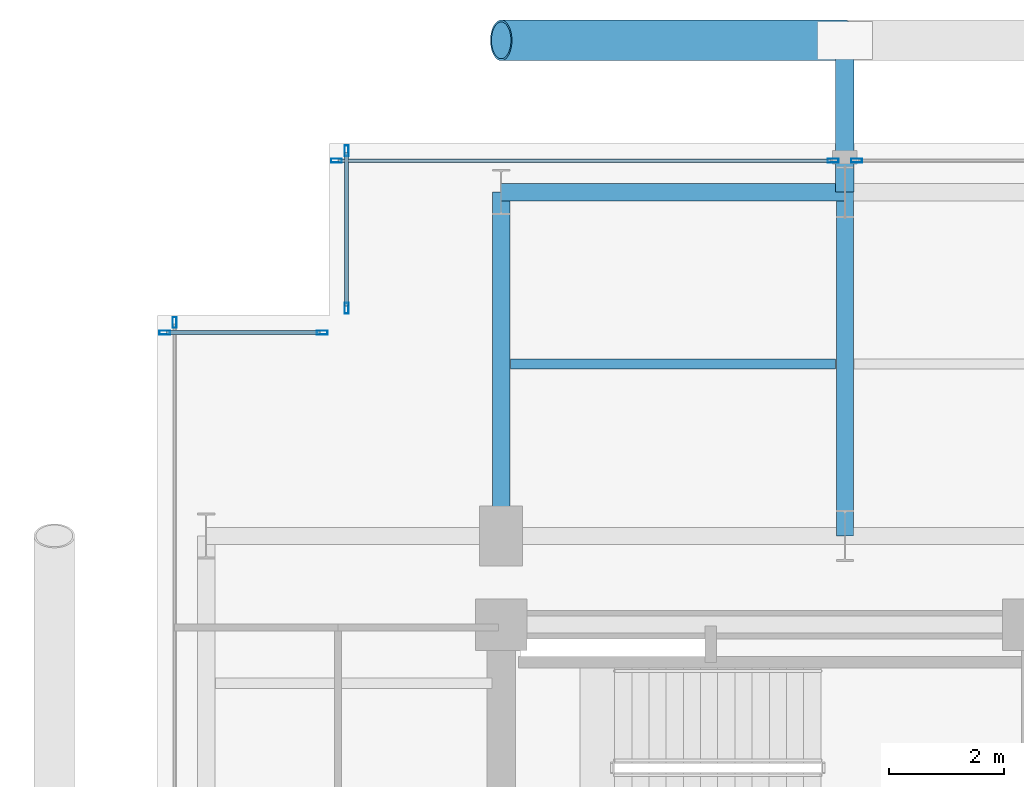
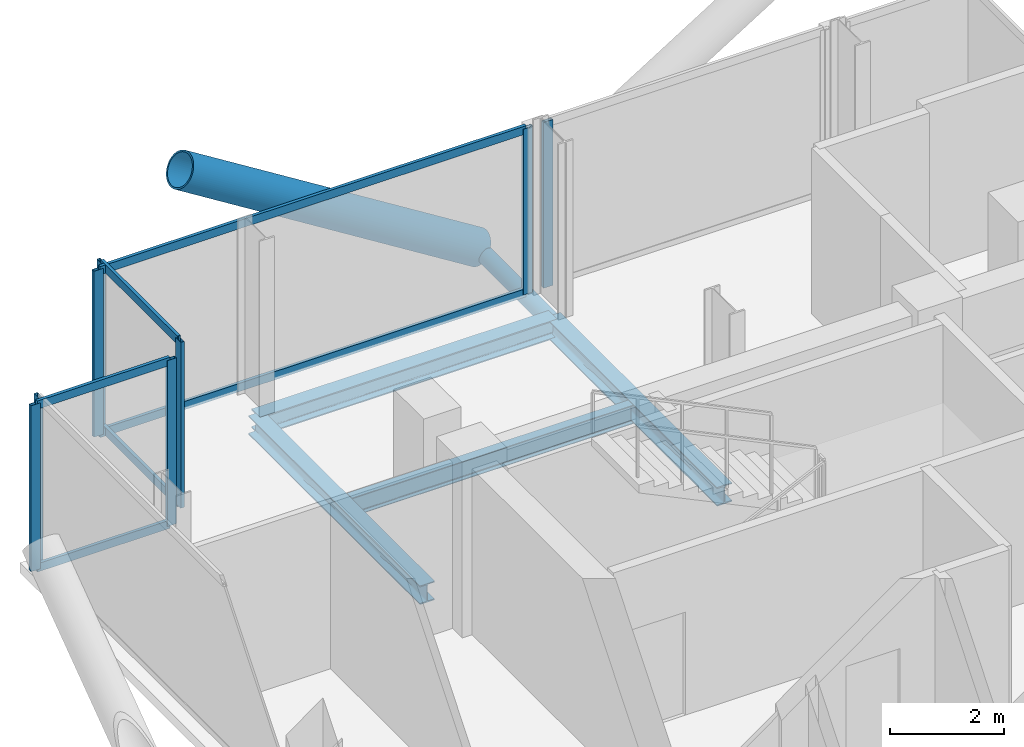
# One storey, part 13 of 21: 16 members, 4 beams, 5 elements without a shape of their own.
"""IFC4 building model written with IfcOpenShell, lengths in metres."""

from ifc_helpers import new_model, si_unit, direction, frame, origin, origin_2d, place, context, subcontext, project, spatial, hollow_rectangle, hollow_circle, i_section, extrude, material, layer, layer_set, material_profile, profile_set, type_object, element, aggregate, save


model = new_model("IFC4")

# Units and contexts
model_context = context("Model", 3, precision=1e-05, world=origin(), true_north=direction((0.0, 1.0)))
body_context = subcontext(model_context, "Body", "Model", "MODEL_VIEW")
ifc_project = project(units=[si_unit("LENGTHUNIT", "METRE"), si_unit("AREAUNIT", "SQUARE_METRE"), si_unit("VOLUMEUNIT", "CUBIC_METRE"), si_unit("PLANEANGLEUNIT", "RADIAN"), si_unit("MASSUNIT", "GRAM", prefix="KILO"), si_unit("THERMODYNAMICTEMPERATUREUNIT", "KELVIN"), si_unit("POWERUNIT", "WATT")], contexts=[model_context])

# Site, building, storey
site_placement = place(None, origin())
site = spatial("IfcSite", under=ifc_project, at=site_placement, CompositionType="ELEMENT")
building_placement = place(site_placement, origin())
building = spatial("IfcBuilding", under=site, at=building_placement, Name="Svarakhadi Broadcast Tower", CompositionType="ELEMENT")
storey_placement = place(building_placement, frame((0.0, 0.0, 208.64990234375)))
storey = spatial("IfcBuildingStorey", under=building, at=storey_placement, Name="L51", CompositionType="ELEMENT", Elevation=208.64990234375)

# Beam
ifc_material_1 = material(Name="Steel S355J2 (IS 2062 E350C)", Category="steel")
ifc_material_profile_1 = material_profile(ifc_material_1, i_section(OverallWidth=0.179931640625, OverallDepth=0.39990234375, WebThickness=0.008544921875, FlangeThickness=0.013427734375, FilletRadius=0.02099609375, at=origin_2d()), Name="NPB 400x180x66")
ifc_profile_set_1 = profile_set([ifc_material_profile_1], Name="Steel S355J2 (IS 2062 E350C)")
beam_type_1 = type_object("IfcBeamType", Name="Beam_NPB400", PredefinedType="BEAM", material=ifc_profile_set_1)
beam_placement = place(storey_placement, frame((6.159912109375, 32.14990234375, -0.409912109375), z_axis=(1.0, 0.0, 0.0), x_axis=(0.0, 1.0, 0.0)))
element("IfcBeam", 1, at=beam_placement, inside=storey, type_object=beam_type_1, Name="L51 Secondary Composite Beam SB008", PredefinedType="BEAM", context=body_context, shape_type="SweptSolid", body=[
    extrude(i_section(OverallWidth=0.179931640625, OverallDepth=0.39990234375, WebThickness=0.008544921875, FlangeThickness=0.013427734375, FilletRadius=0.02099609375, at=origin_2d()), origin(), (0.0, 0.0, 1.0), 5.68017578125),
])

# Curtain wall, member
ifc_material_2 = material(Name="Anodised Bronze Aluminium AA 6063-T6", Category="aluminium")
ifc_layer = layer(ifc_material_2, 0.18994140625)
ifc_layer_set = layer_set([ifc_layer], Name="Anodised Bronze Aluminium AA 6063-T6")
curtain_wall_type = type_object("IfcCurtainWallType", Name="CW_Sys_04", PredefinedType="NOTDEFINED", material=ifc_layer_set)
curtain_wall_1_placement = place(storey_placement, origin())
curtain_wall_1 = element("IfcCurtainWall", 2, at=curtain_wall_1_placement, inside=storey, type_object=curtain_wall_type, Name="L51 West Curtain Wall 03", PredefinedType="NOTDEFINED")
ifc_material_profile_2 = material_profile(ifc_material_2, hollow_rectangle(XDim=0.070068359375, YDim=0.18994140625, WallThickness=0.005615234375, at=origin_2d()), Name="ALU MULLION 190x70x6")
ifc_profile_set_2 = profile_set([ifc_material_profile_2], Name="Anodised Bronze Aluminium AA 6063-T6")
member_type_1 = type_object("IfcMemberType", Name="CW_Sys_04_Mul", PredefinedType="MULLION", material=ifc_profile_set_2)
member_1_placement = place(storey_placement, frame((0.300048828125, 32.875, 0.0), z_axis=(0.0, 0.0, 1.0), x_axis=(-1.0, 0.0, 0.0)))
member_1 = element("IfcMember", 3, at=member_1_placement, type_object=member_type_1, Name="CW-04 mullion 2", PredefinedType="MULLION", context=body_context, shape_type="SweptSolid", body=[
    extrude(hollow_rectangle(XDim=0.070068359375, YDim=0.18994140625, WallThickness=0.005615234375, at=origin_2d()), origin(), (0.0, 0.0, 1.0), 3.5400390625),
])
aggregate(curtain_wall_1, [member_1])

# Curtain wall, members
curtain_wall_2_placement = place(storey_placement, origin())
curtain_wall_2 = element("IfcCurtainWall", 4, at=curtain_wall_2_placement, inside=storey, type_object=curtain_wall_type, Name="L51 Unitised Facade Curtain Wall 04", PredefinedType="NOTDEFINED")
member_2_placement = place(storey_placement, frame((0.125, 32.699951171875, 0.0), z_axis=(0.0, 0.0, 1.0), x_axis=(0.0, 1.0, 0.0)))
member_2 = element("IfcMember", 5, at=member_2_placement, type_object=member_type_1, Name="CW-04 mullion 1", PredefinedType="MULLION", context=body_context, shape_type="SweptSolid", body=[
    extrude(hollow_rectangle(XDim=0.070068359375, YDim=0.18994140625, WallThickness=0.005615234375, at=origin_2d()), origin(), (0.0, 0.0, 1.0), 3.5400390625),
])
member_3_placement = place(storey_placement, frame((2.875, 32.699951171875, 0.0), z_axis=(0.0, 0.0, 1.0), x_axis=(0.0, 1.0, 0.0)))
member_3 = element("IfcMember", 6, at=member_3_placement, type_object=member_type_1, Name="CW-04 mullion 2", PredefinedType="MULLION", context=body_context, shape_type="SweptSolid", body=[
    extrude(hollow_rectangle(XDim=0.070068359375, YDim=0.18994140625, WallThickness=0.005615234375, at=origin_2d()), origin(), (0.0, 0.0, 1.0), 3.5400390625),
])

curtain_wall_3_placement = place(storey_placement, origin())
curtain_wall_3 = element("IfcCurtainWall", 7, at=curtain_wall_3_placement, inside=storey, type_object=curtain_wall_type, Name="L51 Unitised Facade Curtain Wall 05", PredefinedType="NOTDEFINED")
member_4_placement = place(storey_placement, frame((3.300048828125, 33.125, 0.0), z_axis=(0.0, 0.0, 1.0), x_axis=(-1.0, 0.0, 0.0)))
member_4 = element("IfcMember", 8, at=member_4_placement, type_object=member_type_1, Name="CW-04 mullion 1", PredefinedType="MULLION", context=body_context, shape_type="SweptSolid", body=[
    extrude(hollow_rectangle(XDim=0.070068359375, YDim=0.18994140625, WallThickness=0.005615234375, at=origin_2d()), origin(), (0.0, 0.0, 1.0), 3.5400390625),
])
member_5_placement = place(storey_placement, frame((3.300048828125, 35.875, 0.0), z_axis=(0.0, 0.0, 1.0), x_axis=(-1.0, 0.0, 0.0)))
member_5 = element("IfcMember", 9, at=member_5_placement, type_object=member_type_1, Name="CW-04 mullion 2", PredefinedType="MULLION", context=body_context, shape_type="SweptSolid", body=[
    extrude(hollow_rectangle(XDim=0.070068359375, YDim=0.18994140625, WallThickness=0.005615234375, at=origin_2d()), origin(), (0.0, 0.0, 1.0), 3.5400390625),
])

curtain_wall_4_placement = place(storey_placement, origin())
curtain_wall_4 = element("IfcCurtainWall", 10, at=curtain_wall_4_placement, inside=storey, type_object=curtain_wall_type, Name="L51 Unitised Facade Curtain Wall 06 Bay 1", PredefinedType="NOTDEFINED")
member_6_placement = place(storey_placement, frame((3.125, 35.699951171875, 0.0), z_axis=(0.0, 0.0, 1.0), x_axis=(0.0, 1.0, 0.0)))
member_6 = element("IfcMember", 11, at=member_6_placement, type_object=member_type_1, Name="CW-04 mullion 1", PredefinedType="MULLION", context=body_context, shape_type="SweptSolid", body=[
    extrude(hollow_rectangle(XDim=0.070068359375, YDim=0.18994140625, WallThickness=0.005615234375, at=origin_2d()), origin(), (0.0, 0.0, 1.0), 3.5400390625),
])
member_7_placement = place(storey_placement, frame((11.794921875, 35.699951171875, 0.0), z_axis=(0.0, 0.0, 1.0), x_axis=(0.0, 1.0, 0.0)))
member_7 = element("IfcMember", 12, at=member_7_placement, type_object=member_type_1, Name="CW-04 mullion 2", PredefinedType="MULLION", context=body_context, shape_type="SweptSolid", body=[
    extrude(hollow_rectangle(XDim=0.070068359375, YDim=0.18994140625, WallThickness=0.005615234375, at=origin_2d()), origin(), (0.0, 0.0, 1.0), 3.5400390625),
])

# Curtain wall, member
curtain_wall_5_placement = place(storey_placement, origin())
curtain_wall_5 = element("IfcCurtainWall", 13, at=curtain_wall_5_placement, inside=storey, type_object=curtain_wall_type, Name="L51 Unitised Facade Curtain Wall 06 Bay 2", PredefinedType="NOTDEFINED")
member_8_placement = place(storey_placement, frame((12.205078125, 35.699951171875, 0.0), z_axis=(0.0, 0.0, 1.0), x_axis=(0.0, 1.0, 0.0)))
member_8 = element("IfcMember", 14, at=member_8_placement, type_object=member_type_1, Name="CW-04 mullion 1", PredefinedType="MULLION", context=body_context, shape_type="SweptSolid", body=[
    extrude(hollow_rectangle(XDim=0.070068359375, YDim=0.18994140625, WallThickness=0.005615234375, at=origin_2d()), origin(), (0.0, 0.0, 1.0), 3.5400390625),
])
aggregate(curtain_wall_5, [member_8])

# Member
ifc_material_profile_3 = material_profile(ifc_material_2, hollow_rectangle(XDim=0.06494140625, YDim=0.175048828125, WallThickness=0.0048828125, at=origin_2d()), Name="ALU TRANSOM 175x65x5")
ifc_profile_set_3 = profile_set([ifc_material_profile_3], Name="Anodised Bronze Aluminium AA 6063-T6")
member_type_2 = type_object("IfcMemberType", Name="CW_Sys_04_Trn", PredefinedType="USERDEFINED", material=ifc_profile_set_3)
member_9_placement = place(storey_placement, frame((0.159912109375, 32.699951171875, 0.03271484375), z_axis=(1.0, 0.0, 0.0), x_axis=(0.0, 1.0, 0.0)))
member_9 = element("IfcMember", 15, at=member_9_placement, type_object=member_type_2, Name="CW-04 transom 1.1", ObjectType="TRANSOM", PredefinedType="USERDEFINED", context=body_context, shape_type="SweptSolid", body=[
    extrude(hollow_rectangle(XDim=0.06494140625, YDim=0.175048828125, WallThickness=0.0048828125, at=origin_2d()), origin(), (0.0, 0.0, 1.0), 2.68017578125),
])

member_10_placement = place(storey_placement, frame((0.159912109375, 32.699951171875, 3.507568359375), z_axis=(1.0, 0.0, 0.0), x_axis=(0.0, 1.0, 0.0)))
member_10 = element("IfcMember", 16, at=member_10_placement, type_object=member_type_2, Name="CW-04 transom 1.2", ObjectType="TRANSOM", PredefinedType="USERDEFINED", context=body_context, shape_type="SweptSolid", body=[
    extrude(hollow_rectangle(XDim=0.06494140625, YDim=0.175048828125, WallThickness=0.0048828125, at=origin_2d()), origin(), (0.0, 0.0, 1.0), 2.68017578125),
])

aggregate(curtain_wall_2, [member_2, member_3, member_9, member_10])

member_11_placement = place(storey_placement, frame((3.300048828125, 33.159912109375, 0.03271484375), z_axis=(0.0, 1.0, 0.0), x_axis=(-1.0, 0.0, 0.0)))
member_11 = element("IfcMember", 17, at=member_11_placement, type_object=member_type_2, Name="CW-04 transom 1.1", ObjectType="TRANSOM", PredefinedType="USERDEFINED", context=body_context, shape_type="SweptSolid", body=[
    extrude(hollow_rectangle(XDim=0.06494140625, YDim=0.175048828125, WallThickness=0.0048828125, at=origin_2d()), origin(), (0.0, 0.0, 1.0), 2.68017578125),
])

member_12_placement = place(storey_placement, frame((3.300048828125, 33.159912109375, 3.507568359375), z_axis=(0.0, 1.0, 0.0), x_axis=(-1.0, 0.0, 0.0)))
member_12 = element("IfcMember", 18, at=member_12_placement, type_object=member_type_2, Name="CW-04 transom 1.2", ObjectType="TRANSOM", PredefinedType="USERDEFINED", context=body_context, shape_type="SweptSolid", body=[
    extrude(hollow_rectangle(XDim=0.06494140625, YDim=0.175048828125, WallThickness=0.0048828125, at=origin_2d()), origin(), (0.0, 0.0, 1.0), 2.68017578125),
])

aggregate(curtain_wall_3, [member_4, member_5, member_11, member_12])

member_13_placement = place(storey_placement, frame((3.159912109375, 35.699951171875, 0.03271484375), z_axis=(1.0, 0.0, 0.0), x_axis=(0.0, 1.0, 0.0)))
member_13 = element("IfcMember", 19, at=member_13_placement, type_object=member_type_2, Name="CW-04 transom 1.1", ObjectType="TRANSOM", PredefinedType="USERDEFINED", context=body_context, shape_type="SweptSolid", body=[
    extrude(hollow_rectangle(XDim=0.06494140625, YDim=0.175048828125, WallThickness=0.0048828125, at=origin_2d()), origin(), (0.0, 0.0, 1.0), 8.60009765625),
])

member_14_placement = place(storey_placement, frame((3.159912109375, 35.699951171875, 3.507568359375), z_axis=(1.0, 0.0, 0.0), x_axis=(0.0, 1.0, 0.0)))
member_14 = element("IfcMember", 20, at=member_14_placement, type_object=member_type_2, Name="CW-04 transom 1.2", ObjectType="TRANSOM", PredefinedType="USERDEFINED", context=body_context, shape_type="SweptSolid", body=[
    extrude(hollow_rectangle(XDim=0.06494140625, YDim=0.175048828125, WallThickness=0.0048828125, at=origin_2d()), origin(), (0.0, 0.0, 1.0), 8.60009765625),
])

aggregate(curtain_wall_4, [member_6, member_7, member_13, member_14])

# Members
ifc_material_3 = material(Name="Steel S460ML (IS 2062 E450BR)", Category="steel")
ifc_material_profile_4 = material_profile(ifc_material_3, hollow_circle(Radius=0.35546875, WallThickness=0.034912109375, at=origin_2d()), Name="CHS 711x35")
ifc_profile_set_4 = profile_set([ifc_material_profile_4], Name="Steel S460ML (IS 2062 E450BR)")
member_type_3 = type_object("IfcMemberType", Name="Exo_Brace_CHS711", PredefinedType="BRACE", material=ifc_profile_set_4)
member_15_placement = place(storey_placement, frame((12.0, 37.800048828125, -0.371826171875), z_axis=(-0.847998304005, 0.0, 0.529998940003), x_axis=(0.0, -1.0, 0.0)))
element("IfcMember", 21, at=member_15_placement, inside=storey, type_object=member_type_3, Name="L51 Exposed Bronze Exoskeleton Diagonal N06", PredefinedType="BRACE", context=body_context, shape_type="SweptSolid", body=[
    extrude(hollow_circle(Radius=0.35546875, WallThickness=0.034912109375, at=origin_2d()), origin(), (0.0, 0.0, 1.0), 7.075439453125),
])
ifc_material_profile_5 = material_profile(ifc_material_3, hollow_circle(Radius=0.161865234375, WallThickness=0.01611328125, at=origin_2d()), Name="CHS 323.9x16")
ifc_profile_set_5 = profile_set([ifc_material_profile_5], Name="Steel S460ML (IS 2062 E450BR)")
member_type_4 = type_object("IfcMemberType", Name="Exo_Radial_Strut_Z2", PredefinedType="STRUT", material=ifc_profile_set_5)
member_16_placement = place(storey_placement, frame((12.0, 37.800048828125, -0.371826171875), z_axis=(0.0, -1.0, 0.0), x_axis=(1.0, 0.0, 0.0)))
element("IfcMember", 22, at=member_16_placement, inside=storey, type_object=member_type_4, Name="L51 Exoskeleton Radial Tie Strut N07", PredefinedType="STRUT", context=body_context, shape_type="SweptSolid", body=[
    extrude(hollow_circle(Radius=0.161865234375, WallThickness=0.01611328125, at=origin_2d()), origin(), (0.0, 0.0, 1.0), 2.650146484375),
])

# Beams
ifc_material_profile_6 = material_profile(ifc_material_1, i_section(OverallWidth=0.300048828125, OverallDepth=0.39990234375, WebThickness=0.013427734375, FlangeThickness=0.02392578125, FilletRadius=0.027099609375, at=origin_2d()), Name="WPB 400x300x155")
ifc_profile_set_6 = profile_set([ifc_material_profile_6], Name="Steel S355J2 (IS 2062 E350C)")
beam_type_2 = type_object("IfcBeamType", Name="Girder_WPB400", PredefinedType="USERDEFINED", material=ifc_profile_set_6)
for number, where, z_axis, x_axis, name in (
    (23, (6.0, 35.14990234375, -0.409912109375), (1.0, 0.0, 0.0), (0.0, 1.0, 0.0), "L51 Primary E-W Girder G031"),
    (24, (6.0, 29.14990234375, -0.409912109375), (0.0, 1.0, 0.0), (-1.0, 0.0, 0.0), "L51 Primary N-S Girder G041"),
    (25, (12.0, 29.14990234375, -0.409912109375), (0.0, 1.0, 0.0), (-1.0, 0.0, 0.0), "L51 Primary N-S Girder G045"),
):
    element("IfcBeam", number, at=place(storey_placement, frame(where, z_axis=z_axis, x_axis=x_axis)), inside=storey, type_object=beam_type_2, Name=name, ObjectType="GIRDER", PredefinedType="USERDEFINED", context=body_context, shape_type="SweptSolid", body=[
        extrude(i_section(OverallWidth=0.300048828125, OverallDepth=0.39990234375, WebThickness=0.013427734375, FlangeThickness=0.02392578125, FilletRadius=0.027099609375, at=origin_2d()), origin(), (0.0, 0.0, 1.0), 6.0),
    ])

save(model, "model.ifc")
